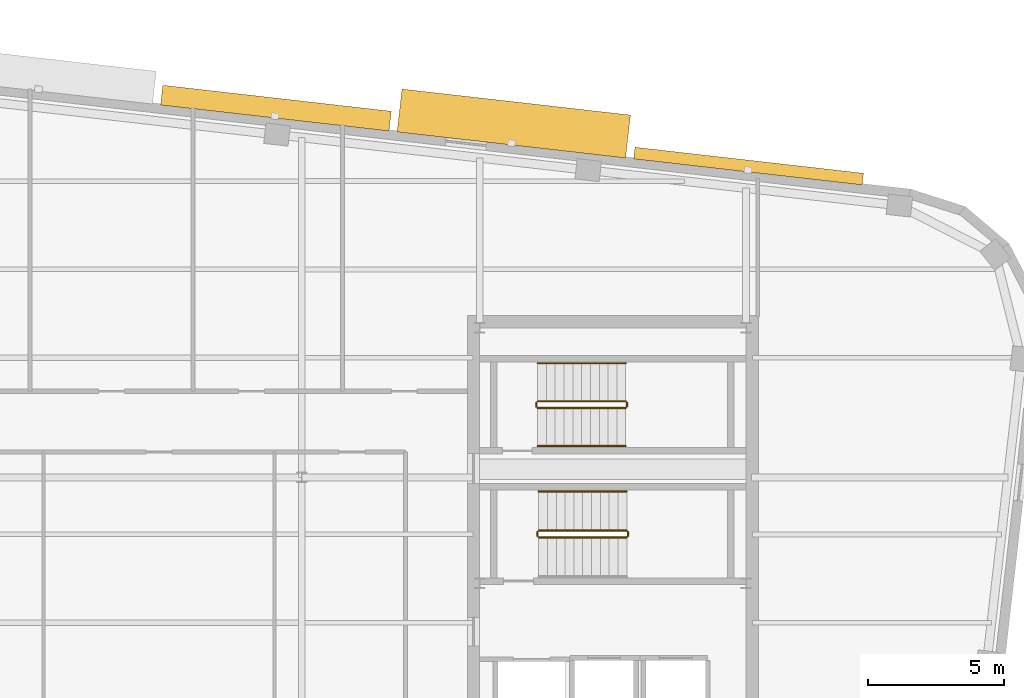
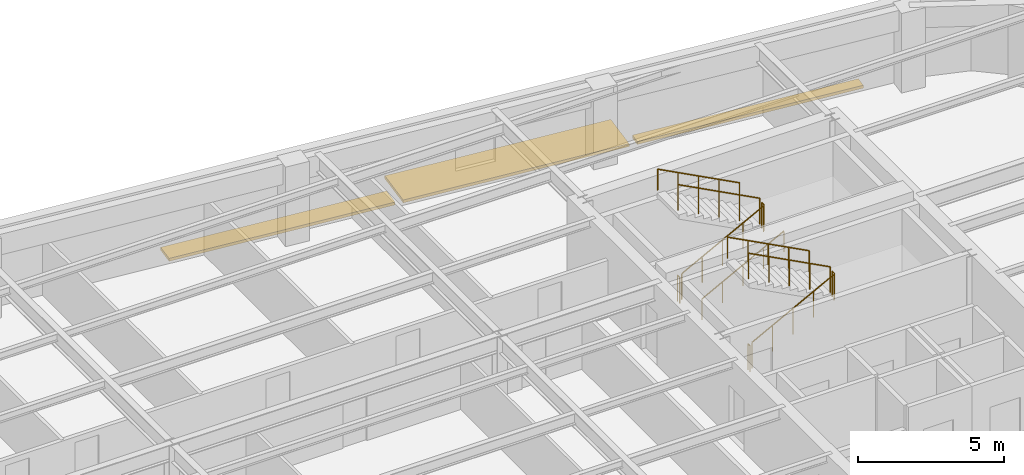
# One storey, part 13 of 13: 11 railings, 3 shading devices.
"""IFC4 building model written with IfcOpenShell, lengths in metres."""

import ifcopenshell
import ifcopenshell.guid

model = None  # the IFC model being written
_history = None  # IfcOwnerHistory: only IFC2X3 demands one
_inside = {}  # id of a spatial element -> (the spatial element, [elements in it])
_under = {}  # id of a project, library or spatial element -> (it, [spatial elements below it])
_declared = {}  # id of a project -> (the project, [libraries it declares])
_typed = {}  # id of a type object -> (the type object, [elements of that type])
_made_of = {}  # id of a material, layer set ... -> (it, [elements and type objects made of it])


def new_model(schema):
    """Start an empty IFC model of exactly this schema.

    Asked for "IFC4X3", IfcOpenShell would pick the latest addendum, in which some entities
    have other attributes; the version numbers below select the first issue.
    IFC2X3 requires an IfcOwnerHistory on every rooted entity: one is made here for all.
    """
    global model, _history
    if schema == "IFC4X3":
        model = ifcopenshell.file(schema_version=(4, 3, 0, 0))
    else:
        model = ifcopenshell.file(schema=schema)
    _inside.clear()
    _under.clear()
    _declared.clear()
    _typed.clear()
    _made_of.clear()
    _history = None
    if model.schema == "IFC2X3":
        org = make("IfcOrganization", Name="unknown")
        user = make(
            "IfcPersonAndOrganization",
            ThePerson=make("IfcPerson", FamilyName="unknown"),
            TheOrganization=org,
        )
        app = make(
            "IfcApplication",
            ApplicationDeveloper=org,
            Version="unknown",
            ApplicationFullName="unknown",
            ApplicationIdentifier="unknown",
        )
        _history = make(
            "IfcOwnerHistory",
            OwningUser=user,
            OwningApplication=app,
            ChangeAction="ADDED",
            CreationDate=0,
        )
    return model


def make(cls, **values):
    """One entity of the class cls with the attributes given. An attribute that is None is left unset."""
    return model.create_entity(
        cls, **{name: value for name, value in values.items() if value is not None}
    )


def rooted(cls, **values):
    """An entity with a GlobalId (a new one), such as an element, a storey or a relation."""
    return make(cls, GlobalId=ifcopenshell.guid.new(), OwnerHistory=_history, **values)


def si_unit(unit_type, name, prefix=None):
    """IfcSIUnit, for example si_unit("LENGTHUNIT", "METRE", prefix="MILLI")."""
    return make("IfcSIUnit", UnitType=unit_type, Prefix=prefix, Name=name)


def assignment(units):
    """IfcUnitAssignment: the units of a project."""
    return None if units is None else make("IfcUnitAssignment", Units=units)


def point(xyz):
    """IfcCartesianPoint."""
    return None if xyz is None else make("IfcCartesianPoint", Coordinates=xyz)


def direction(xyz):
    """IfcDirection."""
    return None if xyz is None else make("IfcDirection", DirectionRatios=xyz)


def frame(location, z_axis=None, x_axis=None):
    """IfcAxis2Placement3D, a coordinate frame: its origin and axes. An axis left out is left unset."""
    return make(
        "IfcAxis2Placement3D",
        Location=point(location),
        Axis=direction(z_axis),
        RefDirection=direction(x_axis),
    )


def frame_2d(location, x_axis=None):
    """IfcAxis2Placement2D, a coordinate frame in the plane: its origin and x axis."""
    return make(
        "IfcAxis2Placement2D", Location=point(location), RefDirection=direction(x_axis)
    )


def origin():
    """The frame at (0, 0, 0) with its axes left unset."""
    return frame((0.0, 0.0, 0.0))


def origin_2d():
    """The frame at (0, 0) in the plane with its x axis left unset."""
    return frame_2d((0.0, 0.0))


def place(relative_to, where):
    """IfcLocalPlacement: puts the frame where relative to a parent placement (None: the world)."""
    return make(
        "IfcLocalPlacement", PlacementRelTo=relative_to, RelativePlacement=where
    )


def context(
    kind, dimensions, precision=None, world=None, true_north=None, identifier=None
):
    """IfcGeometricRepresentationContext, for example the 3D "Model" context."""
    return make(
        "IfcGeometricRepresentationContext",
        ContextIdentifier=identifier,
        ContextType=kind,
        CoordinateSpaceDimension=dimensions,
        Precision=precision,
        WorldCoordinateSystem=world,
        TrueNorth=true_north,
    )


def subcontext(parent, identifier, kind, view, scale=None):
    """IfcGeometricRepresentationSubContext, for example "Body" below "Model"."""
    return make(
        "IfcGeometricRepresentationSubContext",
        ContextIdentifier=identifier,
        ContextType=kind,
        ParentContext=parent,
        TargetScale=scale,
        TargetView=view,
    )


def project(units=None, contexts=None):
    """IfcProject with its units and contexts."""
    return rooted(
        "IfcProject",
        Name="project",
        RepresentationContexts=contexts,
        UnitsInContext=assignment(units),
    )


def spatial(cls, under=None, at=None, **own):
    """A site, building, storey or space (cls), placed at a placement, below another one or the project."""
    s = rooted(cls, ObjectPlacement=at, **own)
    if under is not None:
        _under.setdefault(under.id(), (under, []))[1].append(s)
    return s


def profile(cls, at=None, kind="AREA", **sizes):
    """A parametric profile (cls). Its sizes go by their IFC names, for example OverallWidth=200.0."""
    return make(cls, ProfileType=kind, Position=at, **sizes)


def rectangle(**sizes):
    """IfcRectangleProfileDef."""
    return profile("IfcRectangleProfileDef", **sizes)


def circle(**sizes):
    """IfcCircleProfileDef."""
    return profile("IfcCircleProfileDef", **sizes)


def extrude(swept, where, along, depth):
    """IfcExtrudedAreaSolid: the profile swept, set in the frame where, extruded along a direction by depth."""
    return make(
        "IfcExtrudedAreaSolid",
        SweptArea=swept,
        Position=where,
        ExtrudedDirection=direction(along),
        Depth=depth,
    )


def shape(context_of_items, identifier, shape_type, items):
    """IfcShapeRepresentation: the items that make up one representation, for example the "Body"."""
    return make(
        "IfcShapeRepresentation",
        ContextOfItems=context_of_items,
        RepresentationIdentifier=identifier,
        RepresentationType=shape_type,
        Items=items,
    )


def material(Name=None, Category=None):
    """IfcMaterial."""
    return make("IfcMaterial", Name=Name, Category=Category)


def made_of(thing, what):
    """Note that an element or type object is made of a material, layer set ...; save() writes the relation."""
    if what is not None:
        _made_of.setdefault(what.id(), (what, []))[1].append(thing)
    return thing


def type_object(cls, material=None, **own):
    """A type object (cls), such as IfcWallType, which elements share."""
    return made_of(rooted(cls, **own), material)


def element(
    cls,
    number,
    at=None,
    inside=None,
    cuts=None,
    type_object=None,
    material=None,
    context=None,
    identifier="Body",
    shape_type=None,
    held_by="IfcProductDefinitionShape",
    body=None,
    shapes=None,
    **own,
):
    """One element of the class cls, such as IfcWall. Its Tag is "e" and its number.

    at: its placement. inside: the storey or other place that contains it. cuts: it is an
    opening in that element (IfcRelVoidsElement). A single representation is given by context,
    identifier, shape_type and body (its items); several are given by shapes. held_by: the class
    of the entity that holds the representations. save() writes the other relations.
    """
    e = rooted(cls, Tag="e%d" % number, ObjectPlacement=at, **own)
    if body is not None:
        shapes = [shape(context, identifier, shape_type, body)]
    if shapes is not None:
        e.Representation = make(held_by, Representations=shapes)
    if inside is not None:
        _inside.setdefault(inside.id(), (inside, []))[1].append(e)
    if cuts is not None:
        rooted(
            "IfcRelVoidsElement", RelatingBuildingElement=cuts, RelatedOpeningElement=e
        )
    if type_object is not None:
        _typed.setdefault(type_object.id(), (type_object, []))[1].append(e)
    return made_of(e, material)


def aggregate(whole, parts):
    """IfcRelAggregates: a whole, such as a stair, and the parts it consists of."""
    return rooted("IfcRelAggregates", RelatingObject=whole, RelatedObjects=parts)


def save(model, path):
    """Write the relations noted so far, then the file.

    IfcRelAggregates (storeys below a building ...), IfcRelContainedInSpatialStructure (elements
    in a storey), IfcRelDefinesByType, IfcRelAssociatesMaterial and IfcRelDeclares: one each for
    every whole, place, type object, material and project.
    """
    for whole, parts in _under.values():
        aggregate(whole, parts)
    for where, things in _inside.values():
        rooted(
            "IfcRelContainedInSpatialStructure",
            RelatedElements=things,
            RelatingStructure=where,
        )
    for kind, things in _typed.values():
        rooted("IfcRelDefinesByType", RelatedObjects=things, RelatingType=kind)
    for what, things in _made_of.values():
        rooted("IfcRelAssociatesMaterial", RelatedObjects=things, RelatingMaterial=what)
    for by, libraries in _declared.values():
        rooted("IfcRelDeclares", RelatingContext=by, RelatedDefinitions=libraries)
    model.write(path)


model = new_model("IFC4")

# Units and contexts
model_context = context("Model", 3, precision=1e-05, world=origin(), true_north=direction((0.0, 1.0)))
body_context = subcontext(model_context, "Body", "Model", "MODEL_VIEW")
ifc_project = project(units=[si_unit("LENGTHUNIT", "METRE"), si_unit("AREAUNIT", "SQUARE_METRE"), si_unit("VOLUMEUNIT", "CUBIC_METRE"), si_unit("PLANEANGLEUNIT", "RADIAN"), si_unit("MASSUNIT", "GRAM", prefix="KILO")], contexts=[model_context])

# Site, building, storey
site_placement = place(None, origin())
site = spatial("IfcSite", under=ifc_project, at=site_placement, CompositionType="ELEMENT")
building_placement = place(site_placement, origin())
building = spatial("IfcBuilding", under=site, at=building_placement, Name="Kolvaren Arena Tower", CompositionType="ELEMENT")
storey_placement = place(building_placement, frame((0.0, 0.0, 265.949951171875)))
storey = spatial("IfcBuildingStorey", under=building, at=storey_placement, Name="L65", CompositionType="ELEMENT", Elevation=265.949951171875)

# Railings
ifc_material_1 = material(Name="Painted galvanized steel", Category="steel")
railing_type_1 = type_object("IfcRailingType", Name="GUARD-ST-110", PredefinedType="GUARDRAIL", material=ifc_material_1)
railing_1_placement = place(storey_placement, frame((52.719970703125, 31.639892578125, 0.17041015625)))
element("IfcRailing", 1, at=railing_1_placement, inside=storey, type_object=railing_type_1, Name="L65 ST-E1 stair guard 1", PredefinedType="GUARDRAIL", context=body_context, shape_type="SweptSolid", body=[
    extrude(circle(Radius=0.02392578125, at=origin_2d()), frame((0.0, 0.0, 1.076171875), z_axis=(0.884993431791, 0.0, 0.465603506952), x_axis=(0.0, 1.0, 0.0)), (0.0, 0.0, 1.0), 3.6611328125),
    extrude(circle(Radius=0.02099609375, at=origin_2d()), origin(), (0.0, 0.0, 1.0), 1.052001953125),
    extrude(circle(Radius=0.02099609375, at=origin_2d()), frame((0.81005859375, 0.0, 0.42626953125)), (0.0, 0.0, 1.0), 1.052001953125),
    extrude(circle(Radius=0.02099609375, at=origin_2d()), frame((1.6201171875, 0.0, 0.852294921875)), (0.0, 0.0, 1.0), 1.052001953125),
    extrude(circle(Radius=0.02099609375, at=origin_2d()), frame((2.429931640625, 0.0, 1.2783203125)), (0.0, 0.0, 1.0), 1.052001953125),
    extrude(circle(Radius=0.02099609375, at=origin_2d()), frame((3.239990234375, 0.0, 1.70458984375)), (0.0, 0.0, 1.0), 1.052001953125),
])
railing_2_placement = place(storey_placement, frame((56.010009765625, 31.68994140625, 1.875)))
element("IfcRailing", 2, at=railing_2_placement, inside=storey, type_object=railing_type_1, Name="L65 ST-E1 stair guard 2", PredefinedType="GUARDRAIL", context=body_context, shape_type="SweptSolid", body=[
    extrude(circle(Radius=0.02392578125, at=origin_2d()), frame((0.0, 0.0, 1.076171875), z_axis=(0.0, 1.0, 0.0), x_axis=(-1.0, 0.0, 0.0)), (0.0, 0.0, 1.0), 0.150146484375),
    extrude(circle(Radius=0.02099609375, at=origin_2d()), origin(), (0.0, 0.0, 1.0), 1.052001953125),
    extrude(circle(Radius=0.02099609375, at=origin_2d()), frame((0.0, 0.150146484375, 0.0)), (0.0, 0.0, 1.0), 1.052001953125),
])
railing_3_placement = place(storey_placement, frame((55.9599609375, 31.889892578125, 2.04541015625)))
element("IfcRailing", 3, at=railing_3_placement, inside=storey, type_object=railing_type_1, Name="L65 ST-E1 stair guard 3", PredefinedType="GUARDRAIL", context=body_context, shape_type="SweptSolid", body=[
    extrude(circle(Radius=0.02392578125, at=origin_2d()), frame((0.0, 0.0, 1.076171875), z_axis=(-0.884993431791, 0.0, 0.465603506952), x_axis=(0.0, -1.0, 0.0)), (0.0, 0.0, 1.0), 3.6611328125),
    extrude(circle(Radius=0.02099609375, at=origin_2d()), origin(), (0.0, 0.0, 1.0), 1.052001953125),
    extrude(circle(Radius=0.02099609375, at=origin_2d()), frame((-0.81005859375, 0.0, 0.42626953125)), (0.0, 0.0, 1.0), 1.052001953125),
    extrude(circle(Radius=0.02099609375, at=origin_2d()), frame((-1.6201171875, 0.0, 0.852294921875)), (0.0, 0.0, 1.0), 1.052001953125),
    extrude(circle(Radius=0.02099609375, at=origin_2d()), frame((-2.429931640625, 0.0, 1.2783203125)), (0.0, 0.0, 1.0), 1.052001953125),
    extrude(circle(Radius=0.02099609375, at=origin_2d()), frame((-3.239990234375, 0.0, 1.70458984375)), (0.0, 0.0, 1.0), 1.052001953125),
])
railing_4_placement = place(storey_placement, frame((52.669921875, 31.68994140625, 0.0)))
element("IfcRailing", 4, at=railing_4_placement, inside=storey, type_object=railing_type_1, Name="L65 ST-E1 stair guard 4", PredefinedType="GUARDRAIL", context=body_context, shape_type="SweptSolid", body=[
    extrude(circle(Radius=0.02392578125, at=origin_2d()), frame((0.0, 0.0, 1.076171875), z_axis=(0.0, 1.0, 0.0), x_axis=(-1.0, 0.0, 0.0)), (0.0, 0.0, 1.0), 0.150146484375),
    extrude(circle(Radius=0.02099609375, at=origin_2d()), origin(), (0.0, 0.0, 1.0), 1.052001953125),
    extrude(circle(Radius=0.02099609375, at=origin_2d()), frame((0.0, 0.150146484375, 0.0)), (0.0, 0.0, 1.0), 1.052001953125),
])
railing_5_placement = place(storey_placement, frame((52.679931640625, 36.39990234375, 0.17041015625)))
element("IfcRailing", 5, at=railing_5_placement, inside=storey, type_object=railing_type_1, Name="L65 ST-E2 stair guard 1", PredefinedType="GUARDRAIL", context=body_context, shape_type="SweptSolid", body=[
    extrude(circle(Radius=0.02392578125, at=origin_2d()), frame((0.0, 0.0, 1.076171875), z_axis=(0.884993431791, 0.0, 0.465603506952), x_axis=(0.0, 1.0, 0.0)), (0.0, 0.0, 1.0), 3.6611328125),
    extrude(circle(Radius=0.02099609375, at=origin_2d()), origin(), (0.0, 0.0, 1.0), 1.052001953125),
    extrude(circle(Radius=0.02099609375, at=origin_2d()), frame((0.81005859375, 0.0, 0.42626953125)), (0.0, 0.0, 1.0), 1.052001953125),
    extrude(circle(Radius=0.02099609375, at=origin_2d()), frame((1.6201171875, 0.0, 0.852294921875)), (0.0, 0.0, 1.0), 1.052001953125),
    extrude(circle(Radius=0.02099609375, at=origin_2d()), frame((2.429931640625, 0.0, 1.2783203125)), (0.0, 0.0, 1.0), 1.052001953125),
    extrude(circle(Radius=0.02099609375, at=origin_2d()), frame((3.239990234375, 0.0, 1.70458984375)), (0.0, 0.0, 1.0), 1.052001953125),
])
railing_6_placement = place(storey_placement, frame((55.969970703125, 36.449951171875, 1.875)))
element("IfcRailing", 6, at=railing_6_placement, inside=storey, type_object=railing_type_1, Name="L65 ST-E2 stair guard 2", PredefinedType="GUARDRAIL", context=body_context, shape_type="SweptSolid", body=[
    extrude(circle(Radius=0.02392578125, at=origin_2d()), frame((0.0, 0.0, 1.076171875), z_axis=(0.0, 1.0, 0.0), x_axis=(-1.0, 0.0, 0.0)), (0.0, 0.0, 1.0), 0.150146484375),
    extrude(circle(Radius=0.02099609375, at=origin_2d()), origin(), (0.0, 0.0, 1.0), 1.052001953125),
    extrude(circle(Radius=0.02099609375, at=origin_2d()), frame((0.0, 0.150146484375, 0.0)), (0.0, 0.0, 1.0), 1.052001953125),
])
railing_7_placement = place(storey_placement, frame((55.919921875, 36.64990234375, 2.04541015625)))
element("IfcRailing", 7, at=railing_7_placement, inside=storey, type_object=railing_type_1, Name="L65 ST-E2 stair guard 3", PredefinedType="GUARDRAIL", context=body_context, shape_type="SweptSolid", body=[
    extrude(circle(Radius=0.02392578125, at=origin_2d()), frame((0.0, 0.0, 1.076171875), z_axis=(-0.884993431791, 0.0, 0.465603506952), x_axis=(0.0, -1.0, 0.0)), (0.0, 0.0, 1.0), 3.6611328125),
    extrude(circle(Radius=0.02099609375, at=origin_2d()), origin(), (0.0, 0.0, 1.0), 1.052001953125),
    extrude(circle(Radius=0.02099609375, at=origin_2d()), frame((-0.81005859375, 0.0, 0.42626953125)), (0.0, 0.0, 1.0), 1.052001953125),
    extrude(circle(Radius=0.02099609375, at=origin_2d()), frame((-1.6201171875, 0.0, 0.852294921875)), (0.0, 0.0, 1.0), 1.052001953125),
    extrude(circle(Radius=0.02099609375, at=origin_2d()), frame((-2.429931640625, 0.0, 1.2783203125)), (0.0, 0.0, 1.0), 1.052001953125),
    extrude(circle(Radius=0.02099609375, at=origin_2d()), frame((-3.239990234375, 0.0, 1.70458984375)), (0.0, 0.0, 1.0), 1.052001953125),
])
railing_8_placement = place(storey_placement, frame((52.6298828125, 36.449951171875, 0.0)))
element("IfcRailing", 8, at=railing_8_placement, inside=storey, type_object=railing_type_1, Name="L65 ST-E2 stair guard 4", PredefinedType="GUARDRAIL", context=body_context, shape_type="SweptSolid", body=[
    extrude(circle(Radius=0.02392578125, at=origin_2d()), frame((0.0, 0.0, 1.076171875), z_axis=(0.0, 1.0, 0.0), x_axis=(-1.0, 0.0, 0.0)), (0.0, 0.0, 1.0), 0.150146484375),
    extrude(circle(Radius=0.02099609375, at=origin_2d()), origin(), (0.0, 0.0, 1.0), 1.052001953125),
    extrude(circle(Radius=0.02099609375, at=origin_2d()), frame((0.0, 0.150146484375, 0.0)), (0.0, 0.0, 1.0), 1.052001953125),
])
ifc_material_2 = material(Name="Brushed stainless steel handrail", Category="steel")
railing_type_2 = type_object("IfcRailingType", Name="HRAIL-900", PredefinedType="HANDRAIL", material=ifc_material_2)
railing_9_placement = place(storey_placement, frame((55.9599609375, 33.330078125, 2.04541015625)))
element("IfcRailing", 9, at=railing_9_placement, inside=storey, type_object=railing_type_2, Name="L65 ST-E1 stair handrail 2", PredefinedType="HANDRAIL", context=body_context, shape_type="SweptSolid", body=[
    extrude(circle(Radius=0.02392578125, at=origin_2d()), frame((0.0, 0.0, 0.8759765625), z_axis=(-0.884993431791, 0.0, 0.465603506952), x_axis=(0.0, -1.0, 0.0)), (0.0, 0.0, 1.0), 3.6611328125),
    extrude(circle(Radius=0.02099609375, at=origin_2d()), origin(), (0.0, 0.0, 1.0), 0.851806640625),
    extrude(circle(Radius=0.02099609375, at=origin_2d()), frame((-0.81005859375, 0.0, 0.42626953125)), (0.0, 0.0, 1.0), 0.851806640625),
    extrude(circle(Radius=0.02099609375, at=origin_2d()), frame((-1.6201171875, 0.0, 0.852294921875)), (0.0, 0.0, 1.0), 0.851806640625),
    extrude(circle(Radius=0.02099609375, at=origin_2d()), frame((-2.429931640625, 0.0, 1.2783203125)), (0.0, 0.0, 1.0), 0.851806640625),
    extrude(circle(Radius=0.02099609375, at=origin_2d()), frame((-3.239990234375, 0.0, 1.70458984375)), (0.0, 0.0, 1.0), 0.851806640625),
])
railing_10_placement = place(storey_placement, frame((52.679931640625, 35.0, 0.17041015625)))
element("IfcRailing", 10, at=railing_10_placement, inside=storey, type_object=railing_type_2, Name="L65 ST-E2 stair handrail 1", PredefinedType="HANDRAIL", context=body_context, shape_type="SweptSolid", body=[
    extrude(circle(Radius=0.02392578125, at=origin_2d()), frame((0.0, 0.0, 0.8759765625), z_axis=(0.884993431791, 0.0, 0.465603506952), x_axis=(0.0, 1.0, 0.0)), (0.0, 0.0, 1.0), 3.6611328125),
    extrude(circle(Radius=0.02099609375, at=origin_2d()), origin(), (0.0, 0.0, 1.0), 0.851806640625),
    extrude(circle(Radius=0.02099609375, at=origin_2d()), frame((0.81005859375, 0.0, 0.42626953125)), (0.0, 0.0, 1.0), 0.851806640625),
    extrude(circle(Radius=0.02099609375, at=origin_2d()), frame((1.6201171875, 0.0, 0.852294921875)), (0.0, 0.0, 1.0), 0.851806640625),
    extrude(circle(Radius=0.02099609375, at=origin_2d()), frame((2.429931640625, 0.0, 1.2783203125)), (0.0, 0.0, 1.0), 0.851806640625),
    extrude(circle(Radius=0.02099609375, at=origin_2d()), frame((3.239990234375, 0.0, 1.70458984375)), (0.0, 0.0, 1.0), 0.851806640625),
])
railing_11_placement = place(storey_placement, frame((55.919921875, 38.050048828125, 2.04541015625)))
element("IfcRailing", 11, at=railing_11_placement, inside=storey, type_object=railing_type_2, Name="L65 ST-E2 stair handrail 2", PredefinedType="HANDRAIL", context=body_context, shape_type="SweptSolid", body=[
    extrude(circle(Radius=0.02392578125, at=origin_2d()), frame((0.0, 0.0, 0.8759765625), z_axis=(-0.884993431791, 0.0, 0.465603506952), x_axis=(0.0, -1.0, 0.0)), (0.0, 0.0, 1.0), 3.6611328125),
    extrude(circle(Radius=0.02099609375, at=origin_2d()), origin(), (0.0, 0.0, 1.0), 0.851806640625),
    extrude(circle(Radius=0.02099609375, at=origin_2d()), frame((-0.81005859375, 0.0, 0.42626953125)), (0.0, 0.0, 1.0), 0.851806640625),
    extrude(circle(Radius=0.02099609375, at=origin_2d()), frame((-1.6201171875, 0.0, 0.852294921875)), (0.0, 0.0, 1.0), 0.851806640625),
    extrude(circle(Radius=0.02099609375, at=origin_2d()), frame((-2.429931640625, 0.0, 1.2783203125)), (0.0, 0.0, 1.0), 0.851806640625),
    extrude(circle(Radius=0.02099609375, at=origin_2d()), frame((-3.239990234375, 0.0, 1.70458984375)), (0.0, 0.0, 1.0), 0.851806640625),
])

# Shading devices
ifc_material_3 = material(Name="Architectural precast GFRC and anodised aluminium sunshade", Category="concrete")
shading_device_type_1 = type_object("IfcShadingDeviceType", Name="SHAD-SINE-A", PredefinedType="USERDEFINED", material=ifc_material_3)
shading_device_1_placement = place(storey_placement, frame((43.05078125, 47.435791015625, -0.139892578125), z_axis=(0.0, 0.0, 1.0), x_axis=(0.993571658098, -0.113204947878, 0.0)))
element("IfcShadingDevice", 12, at=shading_device_1_placement, inside=storey, type_object=shading_device_type_1, Name="Sinusoidal Slab-Edge Sunshade Louvre (L65)", ObjectType="LOUVRE", PredefinedType="USERDEFINED", context=body_context, shape_type="SweptSolid", body=[
    extrude(rectangle(XDim=8.4599609375, YDim=0.733154296875, at=origin_2d()), origin(), (0.0, 0.0, 1.0), 0.1201171875),
])
shading_device_2_placement = place(storey_placement, frame((60.441162109375, 45.303466796875, -0.139892578125), z_axis=(0.0, 0.0, 1.0), x_axis=(0.993571658098, -0.113204947878, 0.0)))
element("IfcShadingDevice", 13, at=shading_device_2_placement, inside=storey, type_object=shading_device_type_1, Name="Sinusoidal Slab-Edge Sunshade Louvre (L65)", ObjectType="LOUVRE", PredefinedType="USERDEFINED", context=body_context, shape_type="SweptSolid", body=[
    extrude(rectangle(XDim=8.4599609375, YDim=0.432861328125, at=origin_2d()), origin(), (0.0, 0.0, 1.0), 0.1201171875),
])
shading_device_type_2 = type_object("IfcShadingDeviceType", Name="SHAD-SINE-B", PredefinedType="JALOUSIE", material=ifc_material_3)
shading_device_3_placement = place(storey_placement, frame((51.802978515625, 46.869873046875, -0.139892578125), z_axis=(0.0, 0.0, 1.0), x_axis=(0.993571658098, -0.113204947878, 0.0)))
element("IfcShadingDevice", 14, at=shading_device_3_placement, inside=storey, type_object=shading_device_type_2, Name="Sinusoidal Slab-Edge Sunshade Louvre (L65)", PredefinedType="JALOUSIE", context=body_context, shape_type="SweptSolid", body=[
    extrude(rectangle(XDim=8.4599609375, YDim=1.589599609375, at=origin_2d()), origin(), (0.0, 0.0, 1.0), 0.1201171875),
])

save(model, "model.ifc")
